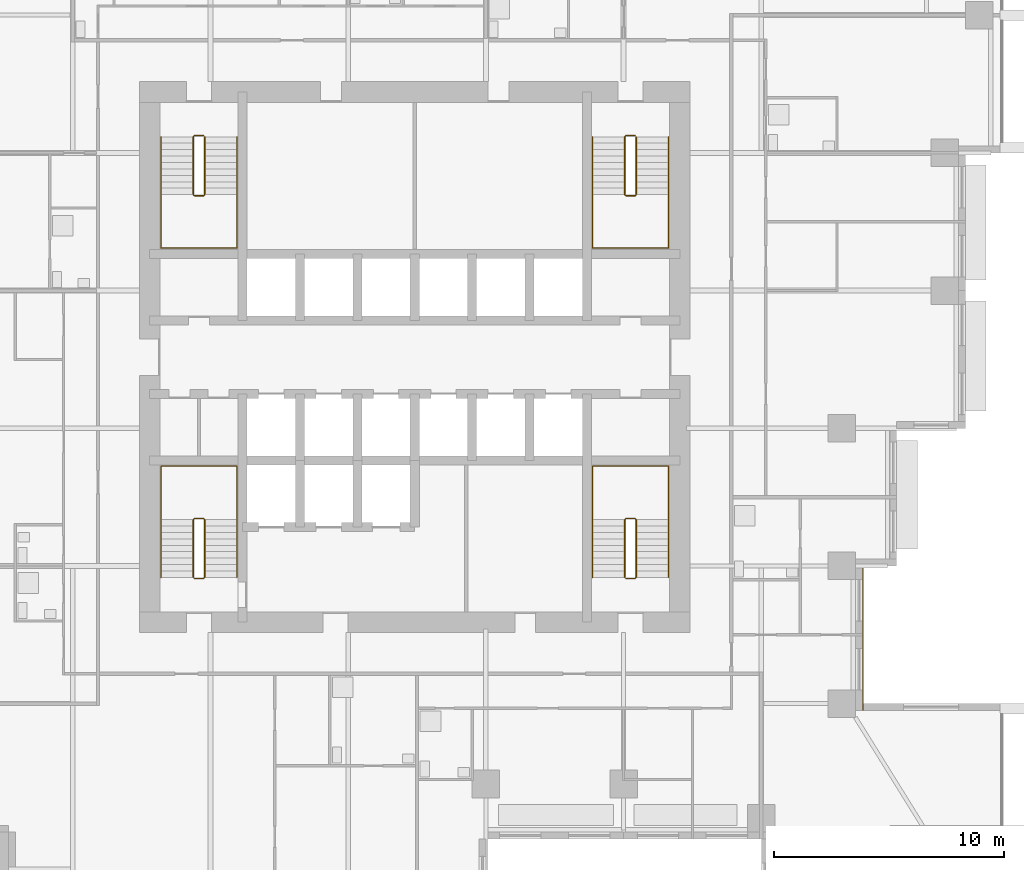
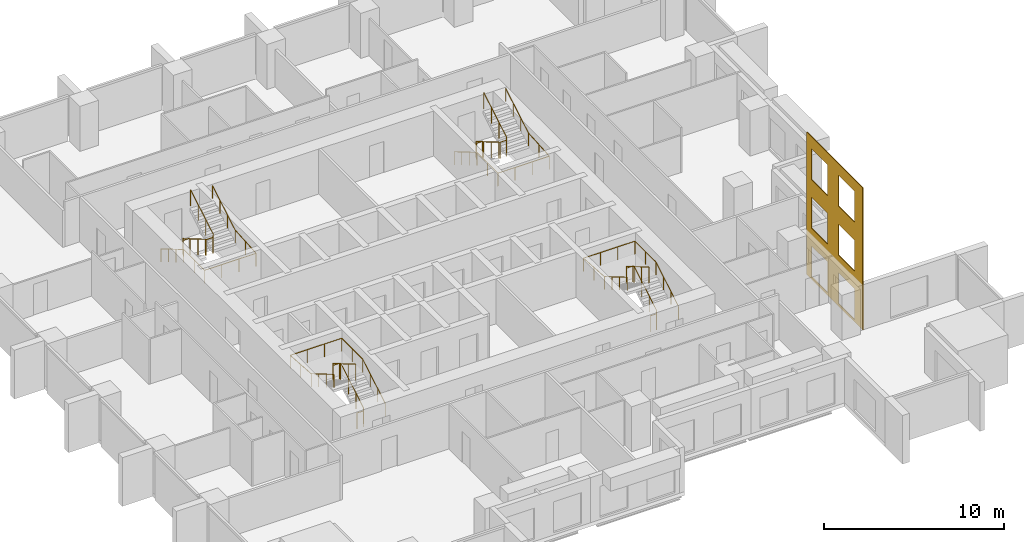
# One storey, part 9 of 10: 8 railings, 1 covering.
"""IFC4 building model written with IfcOpenShell, lengths in metres."""

from ifc_helpers import new_model, si_unit, direction, frame, origin, origin_2d, place, context, subcontext, project, spatial, polyline, circle, outline, extrude, material, layer, layer_set, type_object, element, save


model = new_model("IFC4")

# Units and contexts
model_context = context("Model", 3, precision=1e-05, world=origin(), true_north=direction((0.0, 1.0)))
body_context = subcontext(model_context, "Body", "Model", "MODEL_VIEW")
ifc_project = project(units=[si_unit("LENGTHUNIT", "METRE"), si_unit("AREAUNIT", "SQUARE_METRE"), si_unit("VOLUMEUNIT", "CUBIC_METRE"), si_unit("PLANEANGLEUNIT", "RADIAN"), si_unit("MASSUNIT", "GRAM", prefix="KILO")], contexts=[model_context])

# Site, building, storey
site_placement = place(None, origin())
site = spatial("IfcSite", under=ifc_project, at=site_placement, CompositionType="ELEMENT")
building_placement = place(site_placement, origin())
building = spatial("IfcBuilding", under=site, at=building_placement, Name="Amberfall Residences", CompositionType="ELEMENT")
storey_placement = place(building_placement, frame((0.0, 0.0, 40.0)))
storey = spatial("IfcBuildingStorey", under=building, at=storey_placement, Name="L10", CompositionType="ELEMENT", Elevation=40.0)

# Covering
ifc_material_1 = material(Name="Pale limestone cladding", Category="masonry")
ifc_layer = layer(ifc_material_1, 0.050048828125)
ifc_layer_set = layer_set([ifc_layer], Name="Limestone fascia 50")
covering_type = type_object("IfcCoveringType", Name="Limestone fascia 50", PredefinedType="CLADDING", material=ifc_layer_set)
covering_placement = place(storey_placement, frame((94.0, 30.10009765625, 9.64990234375), z_axis=(-1.0, 0.0, 0.0), x_axis=(0.0, 1.0, 0.0)))
element("IfcCovering", 1, at=covering_placement, inside=storey, type_object=covering_type, Name="Pale limestone cladding L10-L12 E", PredefinedType="CLADDING", context=body_context, shape_type="SweptSolid", body=[
    extrude(outline(polyline([(0.0, 0.0), (6.2099609375, 0.0), (6.2099609375, 9.64990234375), (0.0, 9.64990234375), (0.0, 0.0)]), holes=[polyline([(0.89990234375, 7.39990234375), (2.699951171875, 7.39990234375), (2.699951171875, 9.5), (0.89990234375, 9.5), (0.89990234375, 7.39990234375)]), polyline([(3.89990234375, 7.39990234375), (5.699951171875, 7.39990234375), (5.699951171875, 9.5), (3.89990234375, 9.5), (3.89990234375, 7.39990234375)]), polyline([(0.89990234375, 4.099853515625), (2.699951171875, 4.099853515625), (2.699951171875, 6.199951171875), (0.89990234375, 6.199951171875), (0.89990234375, 4.099853515625)]), polyline([(3.89990234375, 4.099853515625), (5.699951171875, 4.099853515625), (5.699951171875, 6.199951171875), (3.89990234375, 6.199951171875), (3.89990234375, 4.099853515625)]), polyline([(0.89990234375, 0.7998046875), (2.699951171875, 0.7998046875), (2.699951171875, 2.89990234375), (0.89990234375, 2.89990234375), (0.89990234375, 0.7998046875)]), polyline([(3.89990234375, 0.7998046875), (5.699951171875, 0.7998046875), (5.699951171875, 2.89990234375), (3.89990234375, 2.89990234375), (3.89990234375, 0.7998046875)])]), origin(), (0.0, 0.0, -1.0), 0.050048828125),
])

# Railings
ifc_material_2 = material(Name="Stainless steel 316", Category="steel")
railing_type_1 = type_object("IfcRailingType", Name="Stair guard 1100", PredefinedType="GUARDRAIL", material=ifc_material_2)
railing_1_placement = place(storey_placement, frame((64.89990234375, 35.85009765625, 0.0)))
element("IfcRailing", 2, at=railing_1_placement, inside=storey, type_object=railing_type_1, Name="L10 stair 1 guard", PredefinedType="GUARDRAIL", context=body_context, shape_type="SweptSolid", body=[
    extrude(circle(Radius=0.02392578125, at=origin_2d()), frame((0.0, 0.0, 1.076171875), z_axis=(1.0, 0.0, 0.0), x_axis=(0.0, 1.0, 0.0)), (0.0, 0.0, 1.0), 0.400146484375),
    extrude(circle(Radius=0.02392578125, at=origin_2d()), frame((0.400146484375, 0.0, 1.076171875), z_axis=(0.278810427259, 0.277450376394, 0.919394384522), x_axis=(-0.705375805398, 0.708833529934, 0.0)), (0.0, 0.0, 1.0), 0.179443359375),
    extrude(circle(Radius=0.02392578125, at=origin_2d()), frame((0.4501953125, 0.0498046875, 1.2412109375), z_axis=(0.0, 0.861560626758, 0.507654692109), x_axis=(-1.0, 0.0, 0.0)), (0.0, 0.0, 1.0), 2.925048828125),
    extrude(circle(Radius=0.02392578125, at=origin_2d()), frame((0.4501953125, 2.56982421875, 2.72607421875), z_axis=(-0.707106781187, 0.707106781187, 0.0), x_axis=(-0.707106781187, -0.707106781187, 0.0)), (0.0, 0.0, 1.0), 0.07080078125),
    extrude(circle(Radius=0.02392578125, at=origin_2d()), frame((0.400146484375, 2.619873046875, 2.72607421875), z_axis=(-1.0, 0.0, 0.0), x_axis=(0.0, -1.0, 0.0)), (0.0, 0.0, 1.0), 0.400146484375),
    extrude(circle(Radius=0.02392578125, at=origin_2d()), frame((0.0, 2.619873046875, 2.72607421875), z_axis=(-0.277450376394, -0.278810427259, 0.919394384522), x_axis=(0.708833529934, -0.705375805398, 0.0)), (0.0, 0.0, 1.0), 0.179443359375),
    extrude(circle(Radius=0.02392578125, at=origin_2d()), frame((-0.0498046875, 2.56982421875, 2.89111328125), z_axis=(0.0, -0.86152411907, 0.507716645641), x_axis=(1.0, 0.0, 0.0)), (0.0, 0.0, 1.0), 2.925048828125),
    extrude(circle(Radius=0.02099609375, at=origin_2d()), origin(), (0.0, 0.0, 1.0), 1.052001953125),
    extrude(circle(Radius=0.02099609375, at=origin_2d()), frame((0.400146484375, 0.0, 0.0)), (0.0, 0.0, 1.0), 1.052001953125),
    extrude(circle(Radius=0.02099609375, at=origin_2d()), frame((0.4501953125, 0.0498046875, 0.1650390625)), (0.0, 0.0, 1.0), 1.052001953125),
    extrude(circle(Radius=0.02099609375, at=origin_2d()), frame((0.4501953125, 0.889892578125, 0.659912109375)), (0.0, 0.0, 1.0), 1.052001953125),
    extrude(circle(Radius=0.02099609375, at=origin_2d()), frame((0.4501953125, 1.729736328125, 1.155029296875)), (0.0, 0.0, 1.0), 1.052001953125),
    extrude(circle(Radius=0.02099609375, at=origin_2d()), frame((0.4501953125, 2.56982421875, 1.64990234375)), (0.0, 0.0, 1.0), 1.052001953125),
    extrude(circle(Radius=0.02099609375, at=origin_2d()), frame((0.400146484375, 2.619873046875, 1.64990234375)), (0.0, 0.0, 1.0), 1.052001953125),
    extrude(circle(Radius=0.02099609375, at=origin_2d()), frame((0.0, 2.619873046875, 1.64990234375)), (0.0, 0.0, 1.0), 1.052001953125),
    extrude(circle(Radius=0.02099609375, at=origin_2d()), frame((-0.0498046875, 2.56982421875, 1.81494140625)), (0.0, 0.0, 1.0), 1.052001953125),
    extrude(circle(Radius=0.02099609375, at=origin_2d()), frame((-0.0498046875, 1.729736328125, 2.31005859375)), (0.0, 0.0, 1.0), 1.052001953125),
    extrude(circle(Radius=0.02099609375, at=origin_2d()), frame((-0.0498046875, 0.889892578125, 2.804931640625)), (0.0, 0.0, 1.0), 1.052001953125),
    extrude(circle(Radius=0.02099609375, at=origin_2d()), frame((-0.0498046875, 0.0498046875, 3.300048828125)), (0.0, 0.0, 1.0), 1.052001953125),
])
railing_2_placement = place(storey_placement, frame((83.699951171875, 35.85009765625, 0.0)))
element("IfcRailing", 3, at=railing_2_placement, inside=storey, type_object=railing_type_1, Name="L10 stair 2 guard", PredefinedType="GUARDRAIL", context=body_context, shape_type="SweptSolid", body=[
    extrude(circle(Radius=0.02392578125, at=origin_2d()), frame((0.0, 0.0, 1.076171875), z_axis=(1.0, 0.0, 0.0), x_axis=(0.0, 1.0, 0.0)), (0.0, 0.0, 1.0), 0.400146484375),
    extrude(circle(Radius=0.02392578125, at=origin_2d()), frame((0.400146484375, 0.0, 1.076171875), z_axis=(0.27755538755, 0.27755538755, 0.919742362667), x_axis=(-0.707106781187, 0.707106781187, 0.0)), (0.0, 0.0, 1.0), 0.179443359375),
    extrude(circle(Radius=0.02392578125, at=origin_2d()), frame((0.449951171875, 0.0498046875, 1.2412109375), z_axis=(0.0, 0.861560626758, 0.507654692109), x_axis=(-1.0, 0.0, 0.0)), (0.0, 0.0, 1.0), 2.925048828125),
    extrude(circle(Radius=0.02392578125, at=origin_2d()), frame((0.449951171875, 2.56982421875, 2.72607421875), z_axis=(-0.705375805398, 0.708833529934, 0.0), x_axis=(-0.708833529934, -0.705375805398, 0.0)), (0.0, 0.0, 1.0), 0.070556640625),
    extrude(circle(Radius=0.02392578125, at=origin_2d()), frame((0.400146484375, 2.619873046875, 2.72607421875), z_axis=(-1.0, 0.0, 0.0), x_axis=(0.0, -1.0, 0.0)), (0.0, 0.0, 1.0), 0.400146484375),
    extrude(circle(Radius=0.02392578125, at=origin_2d()), frame((0.0, 2.619873046875, 2.72607421875), z_axis=(-0.278705021027, -0.278705021027, 0.919046801044), x_axis=(0.707106781187, -0.707106781187, 0.0)), (0.0, 0.0, 1.0), 0.1796875),
    extrude(circle(Radius=0.02392578125, at=origin_2d()), frame((-0.050048828125, 2.56982421875, 2.89111328125), z_axis=(0.0, -0.86152411907, 0.507716645641), x_axis=(1.0, 0.0, 0.0)), (0.0, 0.0, 1.0), 2.925048828125),
    extrude(circle(Radius=0.02099609375, at=origin_2d()), origin(), (0.0, 0.0, 1.0), 1.052001953125),
    extrude(circle(Radius=0.02099609375, at=origin_2d()), frame((0.400146484375, 0.0, 0.0)), (0.0, 0.0, 1.0), 1.052001953125),
    extrude(circle(Radius=0.02099609375, at=origin_2d()), frame((0.449951171875, 0.0498046875, 0.1650390625)), (0.0, 0.0, 1.0), 1.052001953125),
    extrude(circle(Radius=0.02099609375, at=origin_2d()), frame((0.449951171875, 0.889892578125, 0.659912109375)), (0.0, 0.0, 1.0), 1.052001953125),
    extrude(circle(Radius=0.02099609375, at=origin_2d()), frame((0.449951171875, 1.729736328125, 1.155029296875)), (0.0, 0.0, 1.0), 1.052001953125),
    extrude(circle(Radius=0.02099609375, at=origin_2d()), frame((0.449951171875, 2.56982421875, 1.64990234375)), (0.0, 0.0, 1.0), 1.052001953125),
    extrude(circle(Radius=0.02099609375, at=origin_2d()), frame((0.400146484375, 2.619873046875, 1.64990234375)), (0.0, 0.0, 1.0), 1.052001953125),
    extrude(circle(Radius=0.02099609375, at=origin_2d()), frame((0.0, 2.619873046875, 1.64990234375)), (0.0, 0.0, 1.0), 1.052001953125),
    extrude(circle(Radius=0.02099609375, at=origin_2d()), frame((-0.050048828125, 2.56982421875, 1.81494140625)), (0.0, 0.0, 1.0), 1.052001953125),
    extrude(circle(Radius=0.02099609375, at=origin_2d()), frame((-0.050048828125, 1.729736328125, 2.31005859375)), (0.0, 0.0, 1.0), 1.052001953125),
    extrude(circle(Radius=0.02099609375, at=origin_2d()), frame((-0.050048828125, 0.889892578125, 2.804931640625)), (0.0, 0.0, 1.0), 1.052001953125),
    extrude(circle(Radius=0.02099609375, at=origin_2d()), frame((-0.050048828125, 0.0498046875, 3.300048828125)), (0.0, 0.0, 1.0), 1.052001953125),
])
railing_3_placement = place(storey_placement, frame((84.10009765625, 55.14990234375, 0.0)))
element("IfcRailing", 4, at=railing_3_placement, inside=storey, type_object=railing_type_1, Name="L10 stair 3 guard", PredefinedType="GUARDRAIL", context=body_context, shape_type="SweptSolid", body=[
    extrude(circle(Radius=0.02392578125, at=origin_2d()), frame((0.0, 0.0, 1.076171875), z_axis=(-1.0, 0.0, 0.0), x_axis=(0.0, -1.0, 0.0)), (0.0, 0.0, 1.0), 0.400146484375),
    extrude(circle(Radius=0.02392578125, at=origin_2d()), frame((-0.400146484375, 0.0, 1.076171875), z_axis=(-0.278810427259, -0.277450376394, 0.919394384522), x_axis=(0.705375805398, -0.708833529934, 0.0)), (0.0, 0.0, 1.0), 0.179443359375),
    extrude(circle(Radius=0.02392578125, at=origin_2d()), frame((-0.4501953125, -0.0498046875, 1.2412109375), z_axis=(0.0, -0.861560626758, 0.507654692109), x_axis=(1.0, 0.0, 0.0)), (0.0, 0.0, 1.0), 2.925048828125),
    extrude(circle(Radius=0.02392578125, at=origin_2d()), frame((-0.4501953125, -2.56982421875, 2.72607421875), z_axis=(0.707106781187, -0.707106781187, 0.0), x_axis=(0.707106781187, 0.707106781187, 0.0)), (0.0, 0.0, 1.0), 0.07080078125),
    extrude(circle(Radius=0.02392578125, at=origin_2d()), frame((-0.400146484375, -2.619873046875, 2.72607421875), z_axis=(1.0, 0.0, 0.0), x_axis=(0.0, 1.0, 0.0)), (0.0, 0.0, 1.0), 0.400146484375),
    extrude(circle(Radius=0.02392578125, at=origin_2d()), frame((0.0, -2.619873046875, 2.72607421875), z_axis=(0.277450376394, 0.278810427259, 0.919394384522), x_axis=(-0.708833529934, 0.705375805398, 0.0)), (0.0, 0.0, 1.0), 0.179443359375),
    extrude(circle(Radius=0.02392578125, at=origin_2d()), frame((0.0498046875, -2.56982421875, 2.89111328125), z_axis=(0.0, 0.86152411907, 0.507716645641), x_axis=(-1.0, 0.0, 0.0)), (0.0, 0.0, 1.0), 2.925048828125),
    extrude(circle(Radius=0.02099609375, at=origin_2d()), origin(), (0.0, 0.0, 1.0), 1.052001953125),
    extrude(circle(Radius=0.02099609375, at=origin_2d()), frame((-0.400146484375, 0.0, 0.0)), (0.0, 0.0, 1.0), 1.052001953125),
    extrude(circle(Radius=0.02099609375, at=origin_2d()), frame((-0.4501953125, -0.0498046875, 0.1650390625)), (0.0, 0.0, 1.0), 1.052001953125),
    extrude(circle(Radius=0.02099609375, at=origin_2d()), frame((-0.4501953125, -0.889892578125, 0.659912109375)), (0.0, 0.0, 1.0), 1.052001953125),
    extrude(circle(Radius=0.02099609375, at=origin_2d()), frame((-0.4501953125, -1.729736328125, 1.155029296875)), (0.0, 0.0, 1.0), 1.052001953125),
    extrude(circle(Radius=0.02099609375, at=origin_2d()), frame((-0.4501953125, -2.56982421875, 1.64990234375)), (0.0, 0.0, 1.0), 1.052001953125),
    extrude(circle(Radius=0.02099609375, at=origin_2d()), frame((-0.400146484375, -2.619873046875, 1.64990234375)), (0.0, 0.0, 1.0), 1.052001953125),
    extrude(circle(Radius=0.02099609375, at=origin_2d()), frame((0.0, -2.619873046875, 1.64990234375)), (0.0, 0.0, 1.0), 1.052001953125),
    extrude(circle(Radius=0.02099609375, at=origin_2d()), frame((0.0498046875, -2.56982421875, 1.81494140625)), (0.0, 0.0, 1.0), 1.052001953125),
    extrude(circle(Radius=0.02099609375, at=origin_2d()), frame((0.0498046875, -1.729736328125, 2.31005859375)), (0.0, 0.0, 1.0), 1.052001953125),
    extrude(circle(Radius=0.02099609375, at=origin_2d()), frame((0.0498046875, -0.889892578125, 2.804931640625)), (0.0, 0.0, 1.0), 1.052001953125),
    extrude(circle(Radius=0.02099609375, at=origin_2d()), frame((0.0498046875, -0.0498046875, 3.300048828125)), (0.0, 0.0, 1.0), 1.052001953125),
])
railing_4_placement = place(storey_placement, frame((65.300048828125, 55.14990234375, 0.0)))
element("IfcRailing", 5, at=railing_4_placement, inside=storey, type_object=railing_type_1, Name="L10 stair 4 guard", PredefinedType="GUARDRAIL", context=body_context, shape_type="SweptSolid", body=[
    extrude(circle(Radius=0.02392578125, at=origin_2d()), frame((0.0, 0.0, 1.076171875), z_axis=(-1.0, 0.0, 0.0), x_axis=(0.0, -1.0, 0.0)), (0.0, 0.0, 1.0), 0.400146484375),
    extrude(circle(Radius=0.02392578125, at=origin_2d()), frame((-0.400146484375, 0.0, 1.076171875), z_axis=(-0.27755538755, -0.27755538755, 0.919742362667), x_axis=(0.707106781187, -0.707106781187, 0.0)), (0.0, 0.0, 1.0), 0.179443359375),
    extrude(circle(Radius=0.02392578125, at=origin_2d()), frame((-0.449951171875, -0.0498046875, 1.2412109375), z_axis=(0.0, -0.861560626758, 0.507654692109), x_axis=(1.0, 0.0, 0.0)), (0.0, 0.0, 1.0), 2.925048828125),
    extrude(circle(Radius=0.02392578125, at=origin_2d()), frame((-0.449951171875, -2.56982421875, 2.72607421875), z_axis=(0.705375805398, -0.708833529934, 0.0), x_axis=(0.708833529934, 0.705375805398, 0.0)), (0.0, 0.0, 1.0), 0.070556640625),
    extrude(circle(Radius=0.02392578125, at=origin_2d()), frame((-0.400146484375, -2.619873046875, 2.72607421875), z_axis=(1.0, 0.0, 0.0), x_axis=(0.0, 1.0, 0.0)), (0.0, 0.0, 1.0), 0.400146484375),
    extrude(circle(Radius=0.02392578125, at=origin_2d()), frame((0.0, -2.619873046875, 2.72607421875), z_axis=(0.278705021027, 0.278705021027, 0.919046801044), x_axis=(-0.707106781187, 0.707106781187, 0.0)), (0.0, 0.0, 1.0), 0.1796875),
    extrude(circle(Radius=0.02392578125, at=origin_2d()), frame((0.050048828125, -2.56982421875, 2.89111328125), z_axis=(0.0, 0.86152411907, 0.507716645641), x_axis=(-1.0, 0.0, 0.0)), (0.0, 0.0, 1.0), 2.925048828125),
    extrude(circle(Radius=0.02099609375, at=origin_2d()), origin(), (0.0, 0.0, 1.0), 1.052001953125),
    extrude(circle(Radius=0.02099609375, at=origin_2d()), frame((-0.400146484375, 0.0, 0.0)), (0.0, 0.0, 1.0), 1.052001953125),
    extrude(circle(Radius=0.02099609375, at=origin_2d()), frame((-0.449951171875, -0.0498046875, 0.1650390625)), (0.0, 0.0, 1.0), 1.052001953125),
    extrude(circle(Radius=0.02099609375, at=origin_2d()), frame((-0.449951171875, -0.889892578125, 0.659912109375)), (0.0, 0.0, 1.0), 1.052001953125),
    extrude(circle(Radius=0.02099609375, at=origin_2d()), frame((-0.449951171875, -1.729736328125, 1.155029296875)), (0.0, 0.0, 1.0), 1.052001953125),
    extrude(circle(Radius=0.02099609375, at=origin_2d()), frame((-0.449951171875, -2.56982421875, 1.64990234375)), (0.0, 0.0, 1.0), 1.052001953125),
    extrude(circle(Radius=0.02099609375, at=origin_2d()), frame((-0.400146484375, -2.619873046875, 1.64990234375)), (0.0, 0.0, 1.0), 1.052001953125),
    extrude(circle(Radius=0.02099609375, at=origin_2d()), frame((0.0, -2.619873046875, 1.64990234375)), (0.0, 0.0, 1.0), 1.052001953125),
    extrude(circle(Radius=0.02099609375, at=origin_2d()), frame((0.050048828125, -2.56982421875, 1.81494140625)), (0.0, 0.0, 1.0), 1.052001953125),
    extrude(circle(Radius=0.02099609375, at=origin_2d()), frame((0.050048828125, -1.729736328125, 2.31005859375)), (0.0, 0.0, 1.0), 1.052001953125),
    extrude(circle(Radius=0.02099609375, at=origin_2d()), frame((0.050048828125, -0.889892578125, 2.804931640625)), (0.0, 0.0, 1.0), 1.052001953125),
    extrude(circle(Radius=0.02099609375, at=origin_2d()), frame((0.050048828125, -0.0498046875, 3.300048828125)), (0.0, 0.0, 1.0), 1.052001953125),
])
railing_type_2 = type_object("IfcRailingType", Name="Stair handrail 900", PredefinedType="HANDRAIL", material=ifc_material_2)
railing_5_placement = place(storey_placement, frame((66.75, 35.89990234375, 0.1650390625)))
element("IfcRailing", 6, at=railing_5_placement, inside=storey, type_object=railing_type_2, Name="L10 stair 1 handrail", PredefinedType="HANDRAIL", context=body_context, shape_type="SweptSolid", body=[
    extrude(circle(Radius=0.02392578125, at=origin_2d()), frame((0.0, 0.0, 0.8759765625), z_axis=(0.0, 0.861560626758, 0.507654692109), x_axis=(-1.0, 0.0, 0.0)), (0.0, 0.0, 1.0), 2.925048828125),
    extrude(circle(Radius=0.02392578125, at=origin_2d()), frame((0.0, 2.52001953125, 2.36083984375), z_axis=(0.0, 1.0, 0.0), x_axis=(-1.0, 0.0, 0.0)), (0.0, 0.0, 1.0), 2.330078125),
    extrude(circle(Radius=0.02392578125, at=origin_2d()), frame((0.0, 4.85009765625, 2.36083984375), z_axis=(-1.0, 0.0, 0.0), x_axis=(0.0, -1.0, 0.0)), (0.0, 0.0, 1.0), 3.300048828125),
    extrude(circle(Radius=0.02392578125, at=origin_2d()), frame((-3.300048828125, 4.85009765625, 2.36083984375), z_axis=(0.0, -0.997500965899, 0.07065283455), x_axis=(1.0, 0.0, 0.0)), (0.0, 0.0, 1.0), 2.3359375),
    extrude(circle(Radius=0.02392578125, at=origin_2d()), frame((-3.300048828125, 2.52001953125, 2.52587890625), z_axis=(0.0, -0.86152411907, 0.507716645641), x_axis=(1.0, 0.0, 0.0)), (0.0, 0.0, 1.0), 2.925048828125),
    extrude(circle(Radius=0.02099609375, at=origin_2d()), origin(), (0.0, 0.0, 1.0), 0.851806640625),
    extrude(circle(Radius=0.02099609375, at=origin_2d()), frame((0.0, 0.840087890625, 0.494873046875)), (0.0, 0.0, 1.0), 0.851806640625),
    extrude(circle(Radius=0.02099609375, at=origin_2d()), frame((0.0, 1.679931640625, 0.989990234375)), (0.0, 0.0, 1.0), 0.851806640625),
    extrude(circle(Radius=0.02099609375, at=origin_2d()), frame((0.0, 2.52001953125, 1.48486328125)), (0.0, 0.0, 1.0), 0.851806640625),
    extrude(circle(Radius=0.02099609375, at=origin_2d()), frame((0.0, 3.68505859375, 1.48486328125)), (0.0, 0.0, 1.0), 0.851806640625),
    extrude(circle(Radius=0.02099609375, at=origin_2d()), frame((0.0, 4.85009765625, 1.48486328125)), (0.0, 0.0, 1.0), 0.851806640625),
    extrude(circle(Radius=0.02099609375, at=origin_2d()), frame((-1.10009765625, 4.85009765625, 1.48486328125)), (0.0, 0.0, 1.0), 0.851806640625),
    extrude(circle(Radius=0.02099609375, at=origin_2d()), frame((-2.199951171875, 4.85009765625, 1.48486328125)), (0.0, 0.0, 1.0), 0.851806640625),
    extrude(circle(Radius=0.02099609375, at=origin_2d()), frame((-3.300048828125, 4.85009765625, 1.48486328125)), (0.0, 0.0, 1.0), 0.851806640625),
    extrude(circle(Radius=0.02099609375, at=origin_2d()), frame((-3.300048828125, 3.68505859375, 1.5673828125)), (0.0, 0.0, 1.0), 0.851806640625),
    extrude(circle(Radius=0.02099609375, at=origin_2d()), frame((-3.300048828125, 2.52001953125, 1.64990234375)), (0.0, 0.0, 1.0), 0.851806640625),
    extrude(circle(Radius=0.02099609375, at=origin_2d()), frame((-3.300048828125, 1.679931640625, 2.14501953125)), (0.0, 0.0, 1.0), 0.851806640625),
    extrude(circle(Radius=0.02099609375, at=origin_2d()), frame((-3.300048828125, 0.840087890625, 2.639892578125)), (0.0, 0.0, 1.0), 0.851806640625),
    extrude(circle(Radius=0.02099609375, at=origin_2d()), frame((-3.300048828125, 0.0, 3.135009765625)), (0.0, 0.0, 1.0), 0.851806640625),
])
railing_6_placement = place(storey_placement, frame((85.550048828125, 35.89990234375, 0.1650390625)))
element("IfcRailing", 7, at=railing_6_placement, inside=storey, type_object=railing_type_2, Name="L10 stair 2 handrail", PredefinedType="HANDRAIL", context=body_context, shape_type="SweptSolid", body=[
    extrude(circle(Radius=0.02392578125, at=origin_2d()), frame((0.0, 0.0, 0.8759765625), z_axis=(0.0, 0.861560626758, 0.507654692109), x_axis=(-1.0, 0.0, 0.0)), (0.0, 0.0, 1.0), 2.925048828125),
    extrude(circle(Radius=0.02392578125, at=origin_2d()), frame((0.0, 2.52001953125, 2.36083984375), z_axis=(0.0, 1.0, 0.0), x_axis=(-1.0, 0.0, 0.0)), (0.0, 0.0, 1.0), 2.330078125),
    extrude(circle(Radius=0.02392578125, at=origin_2d()), frame((0.0, 4.85009765625, 2.36083984375), z_axis=(-1.0, 0.0, 0.0), x_axis=(0.0, -1.0, 0.0)), (0.0, 0.0, 1.0), 3.300048828125),
    extrude(circle(Radius=0.02392578125, at=origin_2d()), frame((-3.300048828125, 4.85009765625, 2.36083984375), z_axis=(0.0, -0.997500965899, 0.07065283455), x_axis=(1.0, 0.0, 0.0)), (0.0, 0.0, 1.0), 2.3359375),
    extrude(circle(Radius=0.02392578125, at=origin_2d()), frame((-3.300048828125, 2.52001953125, 2.52587890625), z_axis=(0.0, -0.86152411907, 0.507716645641), x_axis=(1.0, 0.0, 0.0)), (0.0, 0.0, 1.0), 2.925048828125),
    extrude(circle(Radius=0.02099609375, at=origin_2d()), origin(), (0.0, 0.0, 1.0), 0.851806640625),
    extrude(circle(Radius=0.02099609375, at=origin_2d()), frame((0.0, 0.840087890625, 0.494873046875)), (0.0, 0.0, 1.0), 0.851806640625),
    extrude(circle(Radius=0.02099609375, at=origin_2d()), frame((0.0, 1.679931640625, 0.989990234375)), (0.0, 0.0, 1.0), 0.851806640625),
    extrude(circle(Radius=0.02099609375, at=origin_2d()), frame((0.0, 2.52001953125, 1.48486328125)), (0.0, 0.0, 1.0), 0.851806640625),
    extrude(circle(Radius=0.02099609375, at=origin_2d()), frame((0.0, 3.68505859375, 1.48486328125)), (0.0, 0.0, 1.0), 0.851806640625),
    extrude(circle(Radius=0.02099609375, at=origin_2d()), frame((0.0, 4.85009765625, 1.48486328125)), (0.0, 0.0, 1.0), 0.851806640625),
    extrude(circle(Radius=0.02099609375, at=origin_2d()), frame((-1.10009765625, 4.85009765625, 1.48486328125)), (0.0, 0.0, 1.0), 0.851806640625),
    extrude(circle(Radius=0.02099609375, at=origin_2d()), frame((-2.199951171875, 4.85009765625, 1.48486328125)), (0.0, 0.0, 1.0), 0.851806640625),
    extrude(circle(Radius=0.02099609375, at=origin_2d()), frame((-3.300048828125, 4.85009765625, 1.48486328125)), (0.0, 0.0, 1.0), 0.851806640625),
    extrude(circle(Radius=0.02099609375, at=origin_2d()), frame((-3.300048828125, 3.68505859375, 1.5673828125)), (0.0, 0.0, 1.0), 0.851806640625),
    extrude(circle(Radius=0.02099609375, at=origin_2d()), frame((-3.300048828125, 2.52001953125, 1.64990234375)), (0.0, 0.0, 1.0), 0.851806640625),
    extrude(circle(Radius=0.02099609375, at=origin_2d()), frame((-3.300048828125, 1.679931640625, 2.14501953125)), (0.0, 0.0, 1.0), 0.851806640625),
    extrude(circle(Radius=0.02099609375, at=origin_2d()), frame((-3.300048828125, 0.840087890625, 2.639892578125)), (0.0, 0.0, 1.0), 0.851806640625),
    extrude(circle(Radius=0.02099609375, at=origin_2d()), frame((-3.300048828125, 0.0, 3.135009765625)), (0.0, 0.0, 1.0), 0.851806640625),
])
railing_7_placement = place(storey_placement, frame((82.25, 55.10009765625, 0.1650390625)))
element("IfcRailing", 8, at=railing_7_placement, inside=storey, type_object=railing_type_2, Name="L10 stair 3 handrail", PredefinedType="HANDRAIL", context=body_context, shape_type="SweptSolid", body=[
    extrude(circle(Radius=0.02392578125, at=origin_2d()), frame((0.0, 0.0, 0.8759765625), z_axis=(0.0, -0.861560626758, 0.507654692109), x_axis=(1.0, 0.0, 0.0)), (0.0, 0.0, 1.0), 2.925048828125),
    extrude(circle(Radius=0.02392578125, at=origin_2d()), frame((0.0, -2.52001953125, 2.36083984375), z_axis=(0.0, -1.0, 0.0), x_axis=(1.0, 0.0, 0.0)), (0.0, 0.0, 1.0), 2.330078125),
    extrude(circle(Radius=0.02392578125, at=origin_2d()), frame((0.0, -4.85009765625, 2.36083984375), z_axis=(1.0, 0.0, 0.0), x_axis=(0.0, 1.0, 0.0)), (0.0, 0.0, 1.0), 3.300048828125),
    extrude(circle(Radius=0.02392578125, at=origin_2d()), frame((3.300048828125, -4.85009765625, 2.36083984375), z_axis=(0.0, 0.997500965899, 0.07065283455), x_axis=(-1.0, 0.0, 0.0)), (0.0, 0.0, 1.0), 2.3359375),
    extrude(circle(Radius=0.02392578125, at=origin_2d()), frame((3.300048828125, -2.52001953125, 2.52587890625), z_axis=(0.0, 0.86152411907, 0.507716645641), x_axis=(-1.0, 0.0, 0.0)), (0.0, 0.0, 1.0), 2.925048828125),
    extrude(circle(Radius=0.02099609375, at=origin_2d()), origin(), (0.0, 0.0, 1.0), 0.851806640625),
    extrude(circle(Radius=0.02099609375, at=origin_2d()), frame((0.0, -0.840087890625, 0.494873046875)), (0.0, 0.0, 1.0), 0.851806640625),
    extrude(circle(Radius=0.02099609375, at=origin_2d()), frame((0.0, -1.679931640625, 0.989990234375)), (0.0, 0.0, 1.0), 0.851806640625),
    extrude(circle(Radius=0.02099609375, at=origin_2d()), frame((0.0, -2.52001953125, 1.48486328125)), (0.0, 0.0, 1.0), 0.851806640625),
    extrude(circle(Radius=0.02099609375, at=origin_2d()), frame((0.0, -3.68505859375, 1.48486328125)), (0.0, 0.0, 1.0), 0.851806640625),
    extrude(circle(Radius=0.02099609375, at=origin_2d()), frame((0.0, -4.85009765625, 1.48486328125)), (0.0, 0.0, 1.0), 0.851806640625),
    extrude(circle(Radius=0.02099609375, at=origin_2d()), frame((1.10009765625, -4.85009765625, 1.48486328125)), (0.0, 0.0, 1.0), 0.851806640625),
    extrude(circle(Radius=0.02099609375, at=origin_2d()), frame((2.199951171875, -4.85009765625, 1.48486328125)), (0.0, 0.0, 1.0), 0.851806640625),
    extrude(circle(Radius=0.02099609375, at=origin_2d()), frame((3.300048828125, -4.85009765625, 1.48486328125)), (0.0, 0.0, 1.0), 0.851806640625),
    extrude(circle(Radius=0.02099609375, at=origin_2d()), frame((3.300048828125, -3.68505859375, 1.5673828125)), (0.0, 0.0, 1.0), 0.851806640625),
    extrude(circle(Radius=0.02099609375, at=origin_2d()), frame((3.300048828125, -2.52001953125, 1.64990234375)), (0.0, 0.0, 1.0), 0.851806640625),
    extrude(circle(Radius=0.02099609375, at=origin_2d()), frame((3.300048828125, -1.679931640625, 2.14501953125)), (0.0, 0.0, 1.0), 0.851806640625),
    extrude(circle(Radius=0.02099609375, at=origin_2d()), frame((3.300048828125, -0.840087890625, 2.639892578125)), (0.0, 0.0, 1.0), 0.851806640625),
    extrude(circle(Radius=0.02099609375, at=origin_2d()), frame((3.300048828125, 0.0, 3.135009765625)), (0.0, 0.0, 1.0), 0.851806640625),
])
railing_8_placement = place(storey_placement, frame((63.449951171875, 55.10009765625, 0.1650390625)))
element("IfcRailing", 9, at=railing_8_placement, inside=storey, type_object=railing_type_2, Name="L10 stair 4 handrail", PredefinedType="HANDRAIL", context=body_context, shape_type="SweptSolid", body=[
    extrude(circle(Radius=0.02392578125, at=origin_2d()), frame((0.0, 0.0, 0.8759765625), z_axis=(0.0, -0.861560626758, 0.507654692109), x_axis=(1.0, 0.0, 0.0)), (0.0, 0.0, 1.0), 2.925048828125),
    extrude(circle(Radius=0.02392578125, at=origin_2d()), frame((0.0, -2.52001953125, 2.36083984375), z_axis=(0.0, -1.0, 0.0), x_axis=(1.0, 0.0, 0.0)), (0.0, 0.0, 1.0), 2.330078125),
    extrude(circle(Radius=0.02392578125, at=origin_2d()), frame((0.0, -4.85009765625, 2.36083984375), z_axis=(1.0, 0.0, 0.0), x_axis=(0.0, 1.0, 0.0)), (0.0, 0.0, 1.0), 3.300048828125),
    extrude(circle(Radius=0.02392578125, at=origin_2d()), frame((3.300048828125, -4.85009765625, 2.36083984375), z_axis=(0.0, 0.997500965899, 0.07065283455), x_axis=(-1.0, 0.0, 0.0)), (0.0, 0.0, 1.0), 2.3359375),
    extrude(circle(Radius=0.02392578125, at=origin_2d()), frame((3.300048828125, -2.52001953125, 2.52587890625), z_axis=(0.0, 0.86152411907, 0.507716645641), x_axis=(-1.0, 0.0, 0.0)), (0.0, 0.0, 1.0), 2.925048828125),
    extrude(circle(Radius=0.02099609375, at=origin_2d()), origin(), (0.0, 0.0, 1.0), 0.851806640625),
    extrude(circle(Radius=0.02099609375, at=origin_2d()), frame((0.0, -0.840087890625, 0.494873046875)), (0.0, 0.0, 1.0), 0.851806640625),
    extrude(circle(Radius=0.02099609375, at=origin_2d()), frame((0.0, -1.679931640625, 0.989990234375)), (0.0, 0.0, 1.0), 0.851806640625),
    extrude(circle(Radius=0.02099609375, at=origin_2d()), frame((0.0, -2.52001953125, 1.48486328125)), (0.0, 0.0, 1.0), 0.851806640625),
    extrude(circle(Radius=0.02099609375, at=origin_2d()), frame((0.0, -3.68505859375, 1.48486328125)), (0.0, 0.0, 1.0), 0.851806640625),
    extrude(circle(Radius=0.02099609375, at=origin_2d()), frame((0.0, -4.85009765625, 1.48486328125)), (0.0, 0.0, 1.0), 0.851806640625),
    extrude(circle(Radius=0.02099609375, at=origin_2d()), frame((1.10009765625, -4.85009765625, 1.48486328125)), (0.0, 0.0, 1.0), 0.851806640625),
    extrude(circle(Radius=0.02099609375, at=origin_2d()), frame((2.199951171875, -4.85009765625, 1.48486328125)), (0.0, 0.0, 1.0), 0.851806640625),
    extrude(circle(Radius=0.02099609375, at=origin_2d()), frame((3.300048828125, -4.85009765625, 1.48486328125)), (0.0, 0.0, 1.0), 0.851806640625),
    extrude(circle(Radius=0.02099609375, at=origin_2d()), frame((3.300048828125, -3.68505859375, 1.5673828125)), (0.0, 0.0, 1.0), 0.851806640625),
    extrude(circle(Radius=0.02099609375, at=origin_2d()), frame((3.300048828125, -2.52001953125, 1.64990234375)), (0.0, 0.0, 1.0), 0.851806640625),
    extrude(circle(Radius=0.02099609375, at=origin_2d()), frame((3.300048828125, -1.679931640625, 2.14501953125)), (0.0, 0.0, 1.0), 0.851806640625),
    extrude(circle(Radius=0.02099609375, at=origin_2d()), frame((3.300048828125, -0.840087890625, 2.639892578125)), (0.0, 0.0, 1.0), 0.851806640625),
    extrude(circle(Radius=0.02099609375, at=origin_2d()), frame((3.300048828125, 0.0, 3.135009765625)), (0.0, 0.0, 1.0), 0.851806640625),
])

save(model, "model.ifc")
